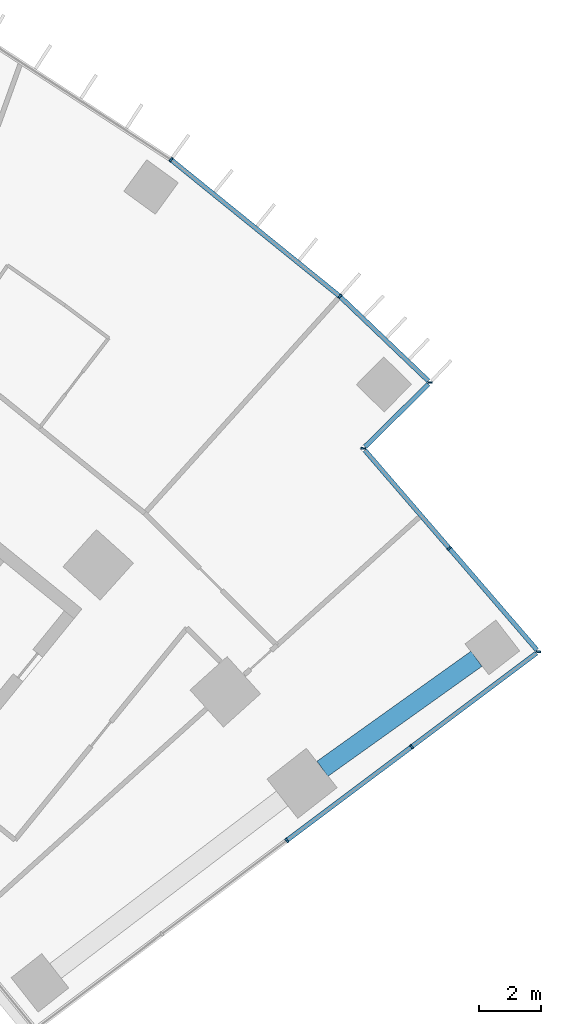
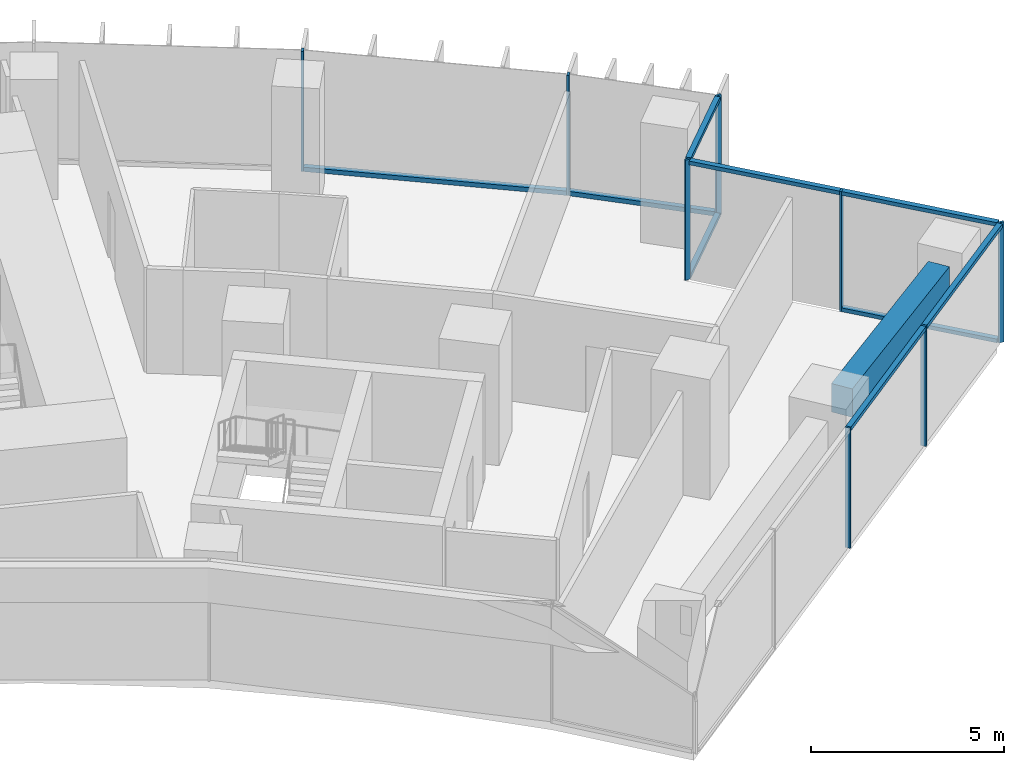
# One storey, part 11 of 24: 17 members, 1 beam, 4 elements without a shape of their own.
"""IFC4 building model written with IfcOpenShell, lengths in metres."""

from ifc_helpers import new_model, si_unit, direction, frame, origin, origin_2d, place, context, subcontext, project, spatial, rectangle, extrude, material, layer, layer_set, material_profile, profile_set, type_object, element, aggregate, save


model = new_model("IFC4")

# Units and contexts
model_context = context("Model", 3, precision=1e-05, world=origin(), true_north=direction((0.0, 1.0)))
body_context = subcontext(model_context, "Body", "Model", "MODEL_VIEW")
ifc_project = project(units=[si_unit("LENGTHUNIT", "METRE"), si_unit("AREAUNIT", "SQUARE_METRE"), si_unit("VOLUMEUNIT", "CUBIC_METRE"), si_unit("PLANEANGLEUNIT", "RADIAN"), si_unit("MASSUNIT", "GRAM", prefix="KILO")], contexts=[model_context])

# Site, building, storey
site_placement = place(None, origin())
site = spatial("IfcSite", under=ifc_project, at=site_placement, CompositionType="ELEMENT")
building_placement = place(site_placement, origin())
building = spatial("IfcBuilding", under=site, at=building_placement, Name="Stone Belt Terrace Tower", CompositionType="ELEMENT")
storey_placement = place(building_placement, frame((0.0, 0.0, 75.60009765625)))
storey = spatial("IfcBuildingStorey", under=building, at=storey_placement, Name="L18", CompositionType="ELEMENT", Elevation=75.60009765625)

# Curtain wall, members
ifc_material_1 = material(Name="Aluminium 6063-T6 anodised frame", Category="aluminium")
ifc_layer_1 = layer(ifc_material_1, 0.14990234375)
ifc_layer_set_1 = layer_set([ifc_layer_1], Name="CW-A unitised convex-face curtain wall")
curtain_wall_type_1 = type_object("IfcCurtainWallType", Name="CW-A unitised convex-face curtain wall", PredefinedType="NOTDEFINED", material=ifc_layer_set_1)
curtain_wall_1_placement = place(storey_placement, origin())
curtain_wall_1 = element("IfcCurtainWall", 1, at=curtain_wall_1_placement, inside=storey, type_object=curtain_wall_type_1, Name="CW-A convex face L18", PredefinedType="NOTDEFINED")
ifc_material_profile_1 = material_profile(ifc_material_1, rectangle(XDim=0.14990234375, YDim=0.06005859375, at=origin_2d()), Name="Aluminium 6063-T6 60x150")
ifc_profile_set_1 = profile_set([ifc_material_profile_1], Name="Aluminium 6063-T6 anodised frame")
member_type_1 = type_object("IfcMemberType", Name="CW-A mullion 60 x 150", PredefinedType="MULLION", material=ifc_profile_set_1)
member_1_placement = place(storey_placement, frame((47.4365234375, 46.715087890625, 0.0), z_axis=(0.0, 0.0, 1.0), x_axis=(-0.999966480105, -0.008187714406, 0.0)))
member_1 = element("IfcMember", 2, at=member_1_placement, type_object=member_type_1, Name="CW-A mullion 1", PredefinedType="MULLION", context=body_context, shape_type="SweptSolid", body=[
    extrude(rectangle(XDim=0.14990234375, YDim=0.06005859375, at=origin_2d()), origin(), (0.0, 0.0, 1.0), 3.7998046875),
])
member_2_placement = place(storey_placement, frame((44.546875, 49.4755859375, 0.0), z_axis=(0.0, 0.0, 1.0), x_axis=(-0.660573481499, -0.75076139721, 0.0)))
member_2 = element("IfcMember", 3, at=member_2_placement, type_object=member_type_1, Name="CW-A mullion 2", PredefinedType="MULLION", context=body_context, shape_type="SweptSolid", body=[
    extrude(rectangle(XDim=0.14990234375, YDim=0.06005859375, at=origin_2d()), origin(), (0.0, 0.0, 1.0), 3.7998046875),
])
member_3_placement = place(storey_placement, frame((39.1318359375, 53.8603515625, 0.0), z_axis=(0.0, 0.0, 1.0), x_axis=(-0.587785252292, -0.809016994375, 0.0)))
member_3 = element("IfcMember", 4, at=member_3_placement, type_object=member_type_1, Name="CW-A mullion 3", PredefinedType="MULLION", context=body_context, shape_type="SweptSolid", body=[
    extrude(rectangle(XDim=0.14990234375, YDim=0.06005859375, at=origin_2d()), origin(), (0.0, 0.0, 1.0), 3.7998046875),
])
ifc_material_profile_2 = material_profile(ifc_material_1, rectangle(XDim=0.14990234375, YDim=0.139892578125, at=origin_2d()), Name="Aluminium 6063-T6 150x140")
ifc_profile_set_2 = profile_set([ifc_material_profile_2], Name="Aluminium 6063-T6 anodised frame")
member_type_2 = type_object("IfcMemberType", Name="CW-A transom 140 x 150", PredefinedType="USERDEFINED", material=ifc_profile_set_2)
member_4_placement = place(storey_placement, frame((47.382568359375, 46.766845703125, 0.06982421875), z_axis=(-0.723150258233, 0.690690744124, 0.0), x_axis=(-0.690690744124, -0.723150258233, 0.0)))
member_4 = element("IfcMember", 5, at=member_4_placement, type_object=member_type_2, Name="CW-A transom 1.1", ObjectType="TRANSOM", PredefinedType="USERDEFINED", context=body_context, shape_type="SweptSolid", body=[
    extrude(rectangle(XDim=0.14990234375, YDim=0.139892578125, at=origin_2d()), origin(), (0.0, 0.0, 1.0), 3.888671875),
])
member_5_placement = place(storey_placement, frame((44.52099609375, 49.496337890625, 0.06982421875), z_axis=(-0.777141048626, 0.629326457842, 0.0), x_axis=(-0.629326457842, -0.777141048626, 0.0)))
member_5 = element("IfcMember", 6, at=member_5_placement, type_object=member_type_2, Name="CW-A transom 2.1", ObjectType="TRANSOM", PredefinedType="USERDEFINED", context=body_context, shape_type="SweptSolid", body=[
    extrude(rectangle(XDim=0.14990234375, YDim=0.139892578125, at=origin_2d()), origin(), (0.0, 0.0, 1.0), 6.900634765625),
])
aggregate(curtain_wall_1, [member_1, member_2, member_3, member_4, member_5])

ifc_layer_2 = layer(ifc_material_1, 0.14990234375)
ifc_layer_set_2 = layer_set([ifc_layer_2], Name="CW-C stick curtain wall, horn ends and notches")
curtain_wall_type_2 = type_object("IfcCurtainWallType", Name="CW-C stick curtain wall, horn ends and notches", PredefinedType="NOTDEFINED", material=ifc_layer_set_2)
curtain_wall_2_placement = place(storey_placement, origin())
curtain_wall_2 = element("IfcCurtainWall", 7, at=curtain_wall_2_placement, inside=storey, type_object=curtain_wall_type_2, Name="CW-C end face L18", PredefinedType="NOTDEFINED")
ifc_material_profile_3 = material_profile(ifc_material_1, rectangle(XDim=0.14990234375, YDim=0.06005859375, at=origin_2d()), Name="Aluminium 6063-T6 60x150")
ifc_profile_set_3 = profile_set([ifc_material_profile_3], Name="Aluminium 6063-T6 anodised frame")
member_type_3 = type_object("IfcMemberType", Name="CW-C mullion 60 x 150", PredefinedType="MULLION", material=ifc_profile_set_3)
member_6_placement = place(storey_placement, frame((42.84423828125, 32.041015625, 0.0), z_axis=(0.0, 0.0, 1.0), x_axis=(-0.600017992436, 0.799986505357, 0.0)))
member_6 = element("IfcMember", 8, at=member_6_placement, type_object=member_type_3, Name="CW-C mullion 3", PredefinedType="MULLION", context=body_context, shape_type="SweptSolid", body=[
    extrude(rectangle(XDim=0.14990234375, YDim=0.06005859375, at=origin_2d()), origin(), (0.0, 0.0, 1.0), 3.7998046875),
])
member_7_placement = place(storey_placement, frame((46.84423828125, 35.041015625, 0.0), z_axis=(0.0, 0.0, 1.0), x_axis=(-0.600017992436, 0.799986505357, 0.0)))
member_7 = element("IfcMember", 9, at=member_7_placement, type_object=member_type_3, Name="CW-C mullion 4", PredefinedType="MULLION", context=body_context, shape_type="SweptSolid", body=[
    extrude(rectangle(XDim=0.14990234375, YDim=0.06005859375, at=origin_2d()), origin(), (0.0, 0.0, 1.0), 3.7998046875),
])

curtain_wall_3_placement = place(storey_placement, origin())
curtain_wall_3 = element("IfcCurtainWall", 10, at=curtain_wall_3_placement, inside=storey, type_object=curtain_wall_type_2, Name="CW-C notch face L18", PredefinedType="NOTDEFINED")
member_8_placement = place(storey_placement, frame((50.908447265625, 38.08935546875, 0.0), z_axis=(0.0, 0.0, 1.0), x_axis=(-0.994169356535, 0.107829914807, 0.0)))
member_8 = element("IfcMember", 11, at=member_8_placement, type_object=member_type_3, Name="CW-C mullion 1", PredefinedType="MULLION", context=body_context, shape_type="SweptSolid", body=[
    extrude(rectangle(XDim=0.14990234375, YDim=0.06005859375, at=origin_2d()), origin(), (0.0, 0.0, 1.0), 3.7998046875),
])
member_9_placement = place(storey_placement, frame((48.05322265625, 41.40283203125, 0.0), z_axis=(0.0, 0.0, 1.0), x_axis=(-0.757583847343, -0.652737860281, 0.0)))
member_9 = element("IfcMember", 12, at=member_9_placement, type_object=member_type_3, Name="CW-C mullion 2", PredefinedType="MULLION", context=body_context, shape_type="SweptSolid", body=[
    extrude(rectangle(XDim=0.14990234375, YDim=0.06005859375, at=origin_2d()), origin(), (0.0, 0.0, 1.0), 3.7998046875),
])

# Curtain wall, member
curtain_wall_4_placement = place(storey_placement, origin())
curtain_wall_4 = element("IfcCurtainWall", 13, at=curtain_wall_4_placement, inside=storey, type_object=curtain_wall_type_2, Name="CW-C notch face L18", PredefinedType="NOTDEFINED")
member_10_placement = place(storey_placement, frame((45.29638671875, 44.602783203125, 0.0), z_axis=(0.0, 0.0, 1.0), x_axis=(-0.999185209744, 0.040359839301, 0.0)))
member_10 = element("IfcMember", 14, at=member_10_placement, type_object=member_type_3, Name="CW-C mullion 1", PredefinedType="MULLION", context=body_context, shape_type="SweptSolid", body=[
    extrude(rectangle(XDim=0.14990234375, YDim=0.06005859375, at=origin_2d()), origin(), (0.0, 0.0, 1.0), 3.7998046875),
])

# Member
ifc_material_profile_4 = material_profile(ifc_material_1, rectangle(XDim=0.14990234375, YDim=0.1201171875, at=origin_2d()), Name="Aluminium 6063-T6 150x120")
ifc_profile_set_4 = profile_set([ifc_material_profile_4], Name="Aluminium 6063-T6 anodised frame")
member_type_4 = type_object("IfcMemberType", Name="CW-C transom 120 x 150", PredefinedType="USERDEFINED", material=ifc_profile_set_4)
member_11_placement = place(storey_placement, frame((42.8681640625, 32.05908203125, 3.739990234375), z_axis=(0.800023721353, 0.599968370227, 0.0), x_axis=(-0.599968370227, 0.800023721353, 0.0)))
member_11 = element("IfcMember", 15, at=member_11_placement, type_object=member_type_4, Name="CW-C transom 3.1", ObjectType="TRANSOM", PredefinedType="USERDEFINED", context=body_context, shape_type="SweptSolid", body=[
    extrude(rectangle(XDim=0.14990234375, YDim=0.1201171875, at=origin_2d()), origin(), (0.0, 0.0, 1.0), 4.93994140625),
])

member_12_placement = place(storey_placement, frame((46.8681640625, 35.05908203125, 3.739990234375), z_axis=(0.799988222323, 0.600015703248, 0.0), x_axis=(-0.600015703248, 0.799988222323, 0.0)))
member_12 = element("IfcMember", 16, at=member_12_placement, type_object=member_type_4, Name="CW-C transom 4.1", ObjectType="TRANSOM", PredefinedType="USERDEFINED", context=body_context, shape_type="SweptSolid", body=[
    extrude(rectangle(XDim=0.14990234375, YDim=0.1201171875, at=origin_2d()), origin(), (0.0, 0.0, 1.0), 4.97509765625),
])

aggregate(curtain_wall_2, [member_6, member_7, member_11, member_12])

member_13_placement = place(storey_placement, frame((50.859130859375, 38.146240234375, 0.059814453125), z_axis=(-0.652743872196, 0.757578667407, 0.0), x_axis=(-0.757578667407, -0.652743872196, 0.0)))
member_13 = element("IfcMember", 17, at=member_13_placement, type_object=member_type_4, Name="CW-C transom 1.1", ObjectType="TRANSOM", PredefinedType="USERDEFINED", context=body_context, shape_type="SweptSolid", body=[
    extrude(rectangle(XDim=0.14990234375, YDim=0.1201171875, at=origin_2d()), origin(), (0.0, 0.0, 1.0), 4.268798828125),
])

member_14_placement = place(storey_placement, frame((50.859130859375, 38.146240234375, 3.739990234375), z_axis=(-0.652743872196, 0.757578667407, 0.0), x_axis=(-0.757578667407, -0.652743872196, 0.0)))
member_14 = element("IfcMember", 18, at=member_14_placement, type_object=member_type_4, Name="CW-C transom 1.2", ObjectType="TRANSOM", PredefinedType="USERDEFINED", context=body_context, shape_type="SweptSolid", body=[
    extrude(rectangle(XDim=0.14990234375, YDim=0.1201171875, at=origin_2d()), origin(), (0.0, 0.0, 1.0), 4.268798828125),
])

member_15_placement = place(storey_placement, frame((48.03369140625, 41.42578125, 3.739990234375), z_axis=(-0.652755588772, 0.757568572029, 0.0), x_axis=(-0.757568572029, -0.652755588772, 0.0)))
member_15 = element("IfcMember", 19, at=member_15_placement, type_object=member_type_4, Name="CW-C transom 2.1", ObjectType="TRANSOM", PredefinedType="USERDEFINED", context=body_context, shape_type="SweptSolid", body=[
    extrude(rectangle(XDim=0.14990234375, YDim=0.1201171875, at=origin_2d()), origin(), (0.0, 0.0, 1.0), 4.12060546875),
])

aggregate(curtain_wall_3, [member_8, member_9, member_13, member_14, member_15])

member_16_placement = place(storey_placement, frame((45.348388671875, 44.654052734375, 0.059814453125), z_axis=(0.711744791626, 0.702438147877, 0.0), x_axis=(-0.702438147877, 0.711744791626, 0.0)))
member_16 = element("IfcMember", 20, at=member_16_placement, type_object=member_type_4, Name="CW-C transom 1.1", ObjectType="TRANSOM", PredefinedType="USERDEFINED", context=body_context, shape_type="SweptSolid", body=[
    extrude(rectangle(XDim=0.14990234375, YDim=0.1201171875, at=origin_2d()), origin(), (0.0, 0.0, 1.0), 2.859375),
])

member_17_placement = place(storey_placement, frame((45.348388671875, 44.654052734375, 3.739990234375), z_axis=(0.711744791626, 0.702438147877, 0.0), x_axis=(-0.702438147877, 0.711744791626, 0.0)))
member_17 = element("IfcMember", 21, at=member_17_placement, type_object=member_type_4, Name="CW-C transom 1.2", ObjectType="TRANSOM", PredefinedType="USERDEFINED", context=body_context, shape_type="SweptSolid", body=[
    extrude(rectangle(XDim=0.14990234375, YDim=0.1201171875, at=origin_2d()), origin(), (0.0, 0.0, 1.0), 2.859375),
])

aggregate(curtain_wall_4, [member_10, member_16, member_17])

# Beam
ifc_material_2 = material(Name="Concrete B60", Category="concrete")
ifc_material_profile_5 = material_profile(ifc_material_2, rectangle(XDim=0.60009765625, YDim=0.89990234375, at=origin_2d()), Name="RC 600x900")
ifc_profile_set_5 = profile_set([ifc_material_profile_5], Name="Concrete B60")
beam_type = type_object("IfcBeamType", Name="Edge beam RC 600x900 B60", PredefinedType="SPANDREL", material=ifc_profile_set_5)
beam_placement = place(storey_placement, frame((43.985107421875, 34.335693359375, 2.849853515625), z_axis=(0.813776958912, 0.581177306115, 0.0), x_axis=(-0.581177306115, 0.813776958912, 0.0)))
element("IfcBeam", 22, at=beam_placement, inside=storey, type_object=beam_type, Name="Edge beam L18 B Q to R", PredefinedType="SPANDREL", context=body_context, shape_type="SweptSolid", body=[
    extrude(rectangle(XDim=0.60009765625, YDim=0.89990234375, at=origin_2d()), origin(), (0.0, 0.0, 1.0), 6.06884765625),
])

save(model, "model.ifc")
